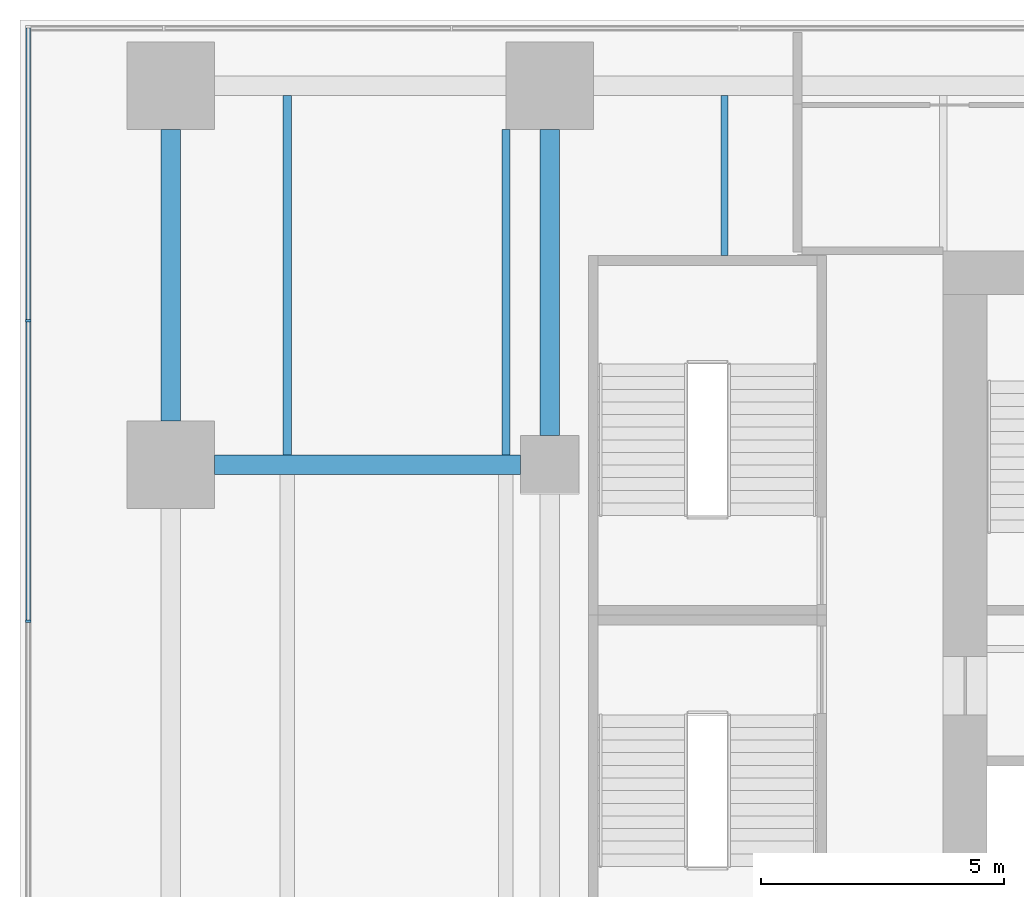
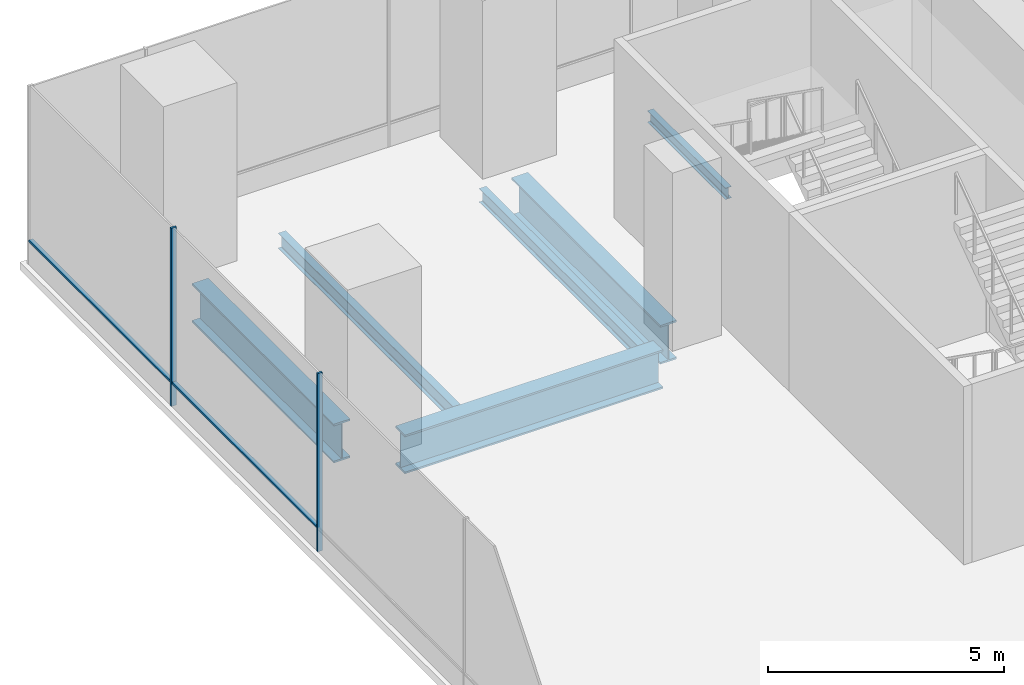
# One storey, part 9 of 29: 6 beams, 4 members, 1 element without a shape of its own.
"""IFC4 building model written with IfcOpenShell, lengths in metres."""

from ifc_helpers import new_model, si_unit, direction, frame, origin, origin_2d, place, context, subcontext, project, spatial, rectangle, i_section, extrude, material, layer, layer_set, material_profile, profile_set, type_object, element, aggregate, save


model = new_model("IFC4")

# Units and contexts
model_context = context("Model", 3, precision=1e-05, world=origin(), true_north=direction((0.0, 1.0)))
body_context = subcontext(model_context, "Body", "Model", "MODEL_VIEW")
ifc_project = project(units=[si_unit("LENGTHUNIT", "METRE"), si_unit("AREAUNIT", "SQUARE_METRE"), si_unit("VOLUMEUNIT", "CUBIC_METRE"), si_unit("PLANEANGLEUNIT", "RADIAN"), si_unit("MASSUNIT", "GRAM", prefix="KILO")], contexts=[model_context])

# Site, building, storey
site_placement = place(None, origin())
site = spatial("IfcSite", under=ifc_project, at=site_placement, CompositionType="ELEMENT")
building_placement = place(site_placement, origin())
building = spatial("IfcBuilding", under=site, at=building_placement, Name="Rattan Terrace Tower", CompositionType="ELEMENT")
storey_placement = place(building_placement, frame((0.0, 0.0, 12.60009765625)))
storey = spatial("IfcBuildingStorey", under=building, at=storey_placement, Name="L02", CompositionType="ELEMENT", Elevation=12.60009765625)

# Beams
ifc_material_1 = material(Name="Steel S355", Category="steel")
ifc_material_profile_1 = material_profile(ifc_material_1, i_section(OverallWidth=0.14990234375, OverallDepth=0.300048828125, WebThickness=0.007080078125, FlangeThickness=0.0107421875, FilletRadius=0.014892578125, at=origin_2d()), Name="IPE 300")
ifc_profile_set_1 = profile_set([ifc_material_profile_1], Name="Steel S355")
beam_type_1 = type_object("IfcBeamType", Name="Frame floor beam IPE 300", PredefinedType="JOIST", material=ifc_profile_set_1)
beam_1_placement = place(storey_placement, frame((-22.5, 7.39990234375, -0.35009765625), z_axis=(0.0, 1.0, 0.0), x_axis=(-1.0, 0.0, 0.0)))
element("IfcBeam", 1, at=beam_1_placement, inside=storey, type_object=beam_type_1, Name="bm-L02-043", PredefinedType="JOIST", context=body_context, shape_type="SweptSolid", body=[
    extrude(i_section(OverallWidth=0.14990234375, OverallDepth=0.300048828125, WebThickness=0.007080078125, FlangeThickness=0.0107421875, FilletRadius=0.014892578125, at=origin_2d()), origin(), (0.0, 0.0, 1.0), 3.300048828125),
])
ifc_material_2 = material(Name="Steel S355", Category="steel")
ifc_material_profile_2 = material_profile(ifc_material_2, i_section(OverallWidth=0.169921875, OverallDepth=0.360107421875, WebThickness=0.008056640625, FlangeThickness=0.0126953125, FilletRadius=0.01806640625, at=origin_2d()), Name="IPE 360")
ifc_profile_set_2 = profile_set([ifc_material_profile_2], Name="Steel S355")
beam_type_2 = type_object("IfcBeamType", Name="Frame floor beam IPE 360", PredefinedType="JOIST", material=ifc_profile_set_2)
beam_2_placement = place(storey_placement, frame((-27.0, 3.300048828125, -0.380126953125), z_axis=(0.0, 1.0, 0.0), x_axis=(-1.0, 0.0, 0.0)))
element("IfcBeam", 2, at=beam_2_placement, inside=storey, type_object=beam_type_2, Name="bm-L02-040", PredefinedType="JOIST", context=body_context, shape_type="SweptSolid", body=[
    extrude(i_section(OverallWidth=0.169921875, OverallDepth=0.360107421875, WebThickness=0.008056640625, FlangeThickness=0.0126953125, FilletRadius=0.01806640625, at=origin_2d()), origin(), (0.0, 0.0, 1.0), 6.699951171875),
])
ifc_material_3 = material(Name="Steel S355", Category="steel")
ifc_material_profile_3 = material_profile(ifc_material_3, i_section(OverallWidth=0.179931640625, OverallDepth=0.39990234375, WebThickness=0.008544921875, FlangeThickness=0.013427734375, FilletRadius=0.02099609375, at=origin_2d()), Name="IPE 400")
ifc_profile_set_3 = profile_set([ifc_material_profile_3], Name="Steel S355")
beam_type_3 = type_object("IfcBeamType", Name="Frame floor beam IPE 400", PredefinedType="JOIST", material=ifc_profile_set_3)
beam_3_placement = place(storey_placement, frame((-31.5, 3.300048828125, -0.400146484375), z_axis=(0.0, 1.0, 0.0), x_axis=(-1.0, 0.0, 0.0)))
element("IfcBeam", 3, at=beam_3_placement, inside=storey, type_object=beam_type_3, Name="bm-L02-039", PredefinedType="JOIST", context=body_context, shape_type="SweptSolid", body=[
    extrude(i_section(OverallWidth=0.179931640625, OverallDepth=0.39990234375, WebThickness=0.008544921875, FlangeThickness=0.013427734375, FilletRadius=0.02099609375, at=origin_2d()), origin(), (0.0, 0.0, 1.0), 7.39990234375),
])
ifc_material_4 = material(Name="Steel S460", Category="steel")
ifc_material_profile_4 = material_profile(ifc_material_4, i_section(OverallWidth=0.39990234375, OverallDepth=1.0, WebThickness=0.01806640625, FlangeThickness=0.044921875, at=origin_2d()), Name="PG 1000x400-18-45")
ifc_profile_set_4 = profile_set([ifc_material_profile_4], Name="Steel S460")
beam_type_4 = type_object("IfcBeamType", Name="Frame podium girder PG 1000x400-18-45", PredefinedType="USERDEFINED", material=ifc_profile_set_4)
for number, where, z_axis, x_axis, name in (
    (4, (-33.0, 3.10009765625, -0.7001953125), (1.0, 0.0, 0.0), (0.0, 1.0, 0.0), "gdr-L02-040"),
    (5, (-26.10009765625, 3.699951171875, -0.7001953125), (0.0, 1.0, 0.0), (-1.0, 0.0, 0.0), "gdr-L02-042"),
):
    element("IfcBeam", number, at=place(storey_placement, frame(where, z_axis=z_axis, x_axis=x_axis)), inside=storey, type_object=beam_type_4, Name=name, ObjectType="PODIUM GIRDER", PredefinedType="USERDEFINED", context=body_context, shape_type="SweptSolid", body=[
        extrude(i_section(OverallWidth=0.39990234375, OverallDepth=1.0, WebThickness=0.01806640625, FlangeThickness=0.044921875, at=origin_2d()), origin(), (0.0, 0.0, 1.0), 6.300048828125),
    ])
beam_4_placement = place(storey_placement, frame((-33.89990234375, 4.0, -0.7001953125), z_axis=(0.0, 1.0, 0.0), x_axis=(-1.0, 0.0, 0.0)))
element("IfcBeam", 6, at=beam_4_placement, inside=storey, type_object=beam_type_4, Name="gdr-L02-044", ObjectType="PODIUM GIRDER", PredefinedType="USERDEFINED", context=body_context, shape_type="SweptSolid", body=[
    extrude(i_section(OverallWidth=0.39990234375, OverallDepth=1.0, WebThickness=0.01806640625, FlangeThickness=0.044921875, at=origin_2d()), origin(), (0.0, 0.0, 1.0), 6.0),
])

# Curtain wall, members
ifc_material_5 = material(Name="Aluminium and glass", Category="aluminium")
ifc_layer = layer(ifc_material_5, 0.1201171875)
ifc_layer_set = layer_set([ifc_layer], Name="Station Storefront Curtain Wall")
curtain_wall_type = type_object("IfcCurtainWallType", Name="Station Storefront Curtain Wall", PredefinedType="NOTDEFINED", material=ifc_layer_set)
curtain_wall_placement = place(storey_placement, origin())
curtain_wall = element("IfcCurtainWall", 7, at=curtain_wall_placement, inside=storey, type_object=curtain_wall_type, Name="Storefront curtain wall L02-3", PredefinedType="NOTDEFINED")
ifc_material_6 = material(Name="Aluminium", Category="aluminium")
ifc_material_profile_5 = material_profile(ifc_material_6, rectangle(XDim=0.050048828125, YDim=0.1201171875, at=origin_2d()), Name="Aluminium 50x120")
ifc_profile_set_5 = profile_set([ifc_material_profile_5], Name="Aluminium")
member_type_1 = type_object("IfcMemberType", Name="Storefront CW Mullion 50x120", PredefinedType="MULLION", material=ifc_profile_set_5)
member_1_placement = place(storey_placement, frame((-36.830078125, 6.06201171875, 0.0), z_axis=(0.0, 0.0, 1.0), x_axis=(0.0, -1.0, 0.0)))
member_1 = element("IfcMember", 8, at=member_1_placement, type_object=member_type_1, Name="Mullion cwl-L02-003.2", PredefinedType="MULLION", context=body_context, shape_type="SweptSolid", body=[
    extrude(rectangle(XDim=0.050048828125, YDim=0.1201171875, at=origin_2d()), origin(), (0.0, 0.0, 1.0), 4.599853515625),
])
member_2_placement = place(storey_placement, frame((-36.830078125, -0.1259765625, 0.0), z_axis=(0.0, 0.0, 1.0), x_axis=(0.0, -1.0, 0.0)))
member_2 = element("IfcMember", 9, at=member_2_placement, type_object=member_type_1, Name="Mullion cwl-L02-003.3", PredefinedType="MULLION", context=body_context, shape_type="SweptSolid", body=[
    extrude(rectangle(XDim=0.050048828125, YDim=0.1201171875, at=origin_2d()), origin(), (0.0, 0.0, 1.0), 4.599853515625),
])
ifc_material_7 = material(Name="Aluminium", Category="aluminium")
ifc_material_profile_6 = material_profile(ifc_material_7, rectangle(XDim=0.10009765625, YDim=0.050048828125, at=origin_2d()), Name="Aluminium 100x50")
ifc_profile_set_6 = profile_set([ifc_material_profile_6], Name="Aluminium")
member_type_2 = type_object("IfcMemberType", Name="Storefront CW Transom 100x50", PredefinedType="USERDEFINED", material=ifc_profile_set_6)
member_3_placement = place(storey_placement, frame((-36.830078125, 12.090087890625, 0.599853515625), z_axis=(0.0, -1.0, 0.0), x_axis=(1.0, 0.0, 0.0)))
member_3 = element("IfcMember", 10, at=member_3_placement, type_object=member_type_2, Name="Transom cwl-L02-003.1", ObjectType="TRANSOM", PredefinedType="USERDEFINED", context=body_context, shape_type="SweptSolid", body=[
    extrude(rectangle(XDim=0.10009765625, YDim=0.050048828125, at=origin_2d()), origin(), (0.0, 0.0, 1.0), 6.003173828125),
])
member_4_placement = place(storey_placement, frame((-36.830078125, 6.037109375, 0.599853515625), z_axis=(0.0, -1.0, 0.0), x_axis=(1.0, 0.0, 0.0)))
member_4 = element("IfcMember", 11, at=member_4_placement, type_object=member_type_2, Name="Transom cwl-L02-003.2", ObjectType="TRANSOM", PredefinedType="USERDEFINED", context=body_context, shape_type="SweptSolid", body=[
    extrude(rectangle(XDim=0.10009765625, YDim=0.050048828125, at=origin_2d()), origin(), (0.0, 0.0, 1.0), 6.13818359375),
])
aggregate(curtain_wall, [member_1, member_2, member_3, member_4])

save(model, "model.ifc")
